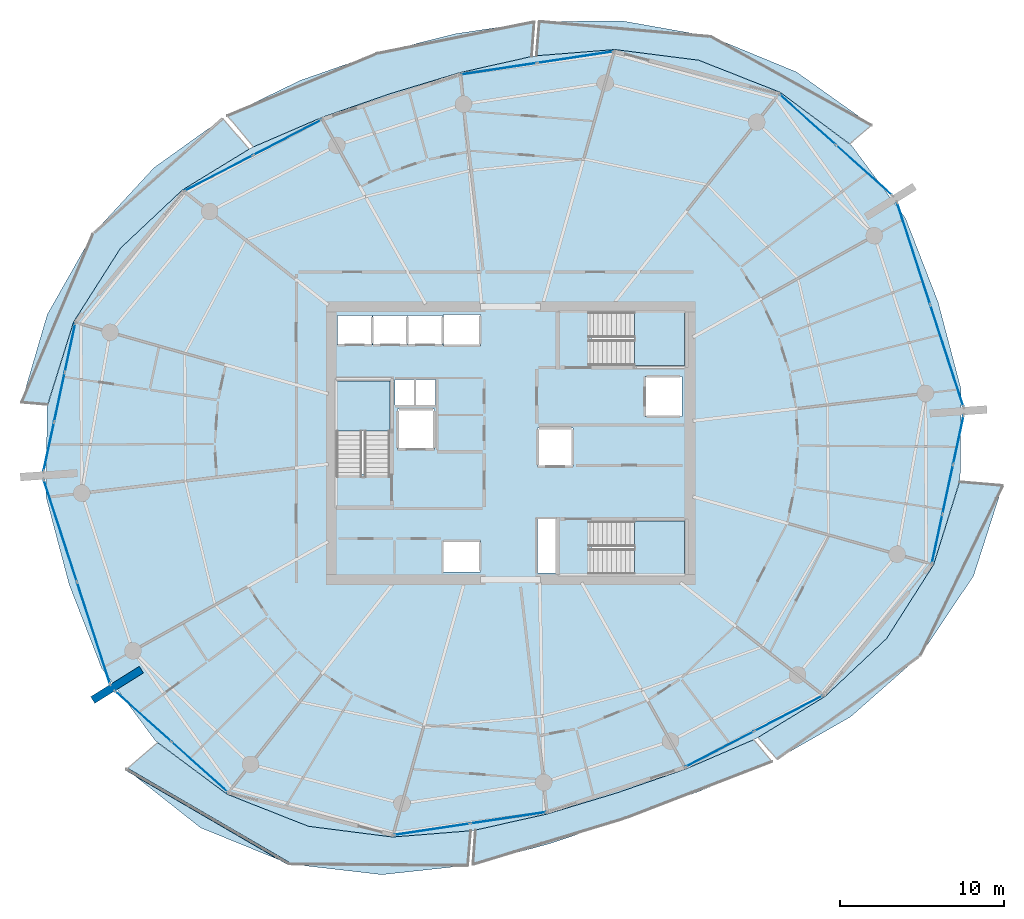
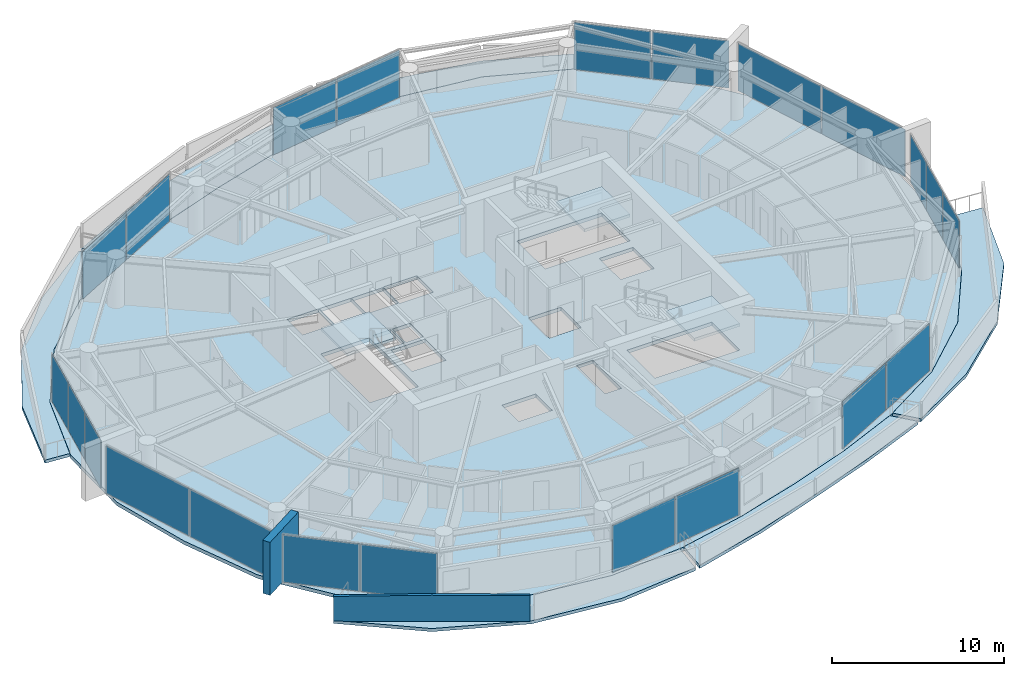
# One storey, part 10 of 20: 22 plates, 10 slabs, 2 walls, 13 elements without a shape of their own.
"""IFC4 building model written with IfcOpenShell, lengths in metres."""

from ifc_helpers import new_model, si_unit, direction, frame, frame_2d, origin, origin_2d, place, context, subcontext, project, spatial, polyline, rectangle, outline, extrude, material, layer, layer_set, type_object, element, aggregate, save


model = new_model("IFC4")

# Units and contexts
model_context = context("Model", 3, precision=1e-05, world=origin(), true_north=direction((0.0, 1.0)))
body_context = subcontext(model_context, "Body", "Model", "MODEL_VIEW")
ifc_project = project(units=[si_unit("LENGTHUNIT", "METRE"), si_unit("AREAUNIT", "SQUARE_METRE"), si_unit("VOLUMEUNIT", "CUBIC_METRE"), si_unit("PLANEANGLEUNIT", "RADIAN"), si_unit("MASSUNIT", "GRAM", prefix="KILO")], contexts=[model_context])

# Site, building, storey
site_placement = place(None, origin())
site = spatial("IfcSite", under=ifc_project, at=site_placement, CompositionType="ELEMENT")
building_placement = place(site_placement, origin())
building = spatial("IfcBuilding", under=site, at=building_placement, Name="Kazma Halo Residences", CompositionType="ELEMENT")
storey_placement = place(building_placement, frame((0.0, 0.0, 210.300048828125)))
storey = spatial("IfcBuildingStorey", under=building, at=storey_placement, Name="L53", CompositionType="ELEMENT", Elevation=210.300048828125)

# Curtain wall, plates
ifc_material_1 = material(Name="Aluminium AW-6063 T6 and Triple-Silver Low-E Glass", Category="aluminium")
ifc_layer_1 = layer(ifc_material_1, 0.219970703125)
ifc_layer_set_1 = layer_set([ifc_layer_1], Name="Aluminium AW-6063 T6 and Triple-Silver Low-E Glass")
curtain_wall_type = type_object("IfcCurtainWallType", Name="CW-SYS-4", PredefinedType="NOTDEFINED", material=ifc_layer_set_1)
curtain_wall_1_placement = place(storey_placement, origin())
curtain_wall_1 = element("IfcCurtainWall", 1, at=curtain_wall_1_placement, inside=storey, type_object=curtain_wall_type, Name="L53 unitised curtain wall B01", PredefinedType="NOTDEFINED")
ifc_material_2 = material(Name="Clear Triple-Silver Low-E Glass IGU", Category="glass")
ifc_layer_2 = layer(ifc_material_2, 0.033935546875)
ifc_layer_set_2 = layer_set([ifc_layer_2], Name="Clear Triple-Silver Low-E Glass IGU")
plate_type = type_object("IfcPlateType", Name="CW-SYS-4-PNL", PredefinedType="CURTAIN_PANEL", material=ifc_layer_set_2)
plate_1_placement = place(storey_placement, frame((70.001220703125, 58.669677734375, 0.074951171875), z_axis=(0.0, 0.0, 1.0), x_axis=(-0.744354814723, 0.667784328806, 0.0)))
plate_1 = element("IfcPlate", 2, at=plate_1_placement, type_object=plate_type, Name="CWS-4 panel 1.1", PredefinedType="CURTAIN_PANEL", context=body_context, shape_type="SweptSolid", body=[
    extrude(rectangle(XDim=4.5478515625, YDim=0.033935546875, at=origin_2d()), origin(), (0.0, 0.0, 1.0), 3.35009765625),
])
plate_2_placement = place(storey_placement, frame((66.56005859375, 61.7568359375, 0.074951171875), z_axis=(0.0, 0.0, 1.0), x_axis=(-0.744354814723, 0.667784328806, 0.0)))
plate_2 = element("IfcPlate", 3, at=plate_2_placement, type_object=plate_type, Name="CWS-4 panel 2.1", PredefinedType="CURTAIN_PANEL", context=body_context, shape_type="SweptSolid", body=[
    extrude(rectangle(XDim=4.5478515625, YDim=0.033935546875, at=origin_2d()), origin(), (0.0, 0.0, 1.0), 3.35009765625),
])
aggregate(curtain_wall_1, [plate_1, plate_2])

curtain_wall_2_placement = place(storey_placement, origin())
curtain_wall_2 = element("IfcCurtainWall", 4, at=curtain_wall_2_placement, inside=storey, type_object=curtain_wall_type, Name="L53 unitised curtain wall B03", PredefinedType="NOTDEFINED")
plate_3_placement = place(storey_placement, frame((52.375, 65.562255859375, 0.074951171875), z_axis=(0.0, 0.0, 1.0), x_axis=(-0.988871428361, -0.148772639188, 0.0)))
plate_3 = element("IfcPlate", 5, at=plate_3_placement, type_object=plate_type, Name="CWS-4 panel 1.1", PredefinedType="CURTAIN_PANEL", context=body_context, shape_type="SweptSolid", body=[
    extrude(rectangle(XDim=4.64501953125, YDim=0.033935546875, at=origin_2d()), origin(), (0.0, 0.0, 1.0), 3.35009765625),
])
plate_4_placement = place(storey_placement, frame((47.70751953125, 64.860107421875, 0.074951171875), z_axis=(0.0, 0.0, 1.0), x_axis=(-0.988871428361, -0.148772639188, 0.0)))
plate_4 = element("IfcPlate", 6, at=plate_4_placement, type_object=plate_type, Name="CWS-4 panel 2.1", PredefinedType="CURTAIN_PANEL", context=body_context, shape_type="SweptSolid", body=[
    extrude(rectangle(XDim=4.64501953125, YDim=0.033935546875, at=origin_2d()), origin(), (0.0, 0.0, 1.0), 3.35009765625),
])
aggregate(curtain_wall_2, [plate_3, plate_4])

curtain_wall_3_placement = place(storey_placement, origin())
curtain_wall_3 = element("IfcCurtainWall", 7, at=curtain_wall_3_placement, inside=storey, type_object=curtain_wall_type, Name="L53 unitised curtain wall B05", PredefinedType="NOTDEFINED")
plate_5_placement = place(storey_placement, frame((34.7998046875, 60.666015625, 0.074951171875), z_axis=(0.0, 0.0, 1.0), x_axis=(-0.887465657575, -0.460873851097, 0.0)))
plate_5 = element("IfcPlate", 8, at=plate_5_placement, type_object=plate_type, Name="CWS-4 panel 1.1", PredefinedType="CURTAIN_PANEL", context=body_context, shape_type="SweptSolid", body=[
    extrude(rectangle(XDim=4.64501953125, YDim=0.033935546875, at=origin_2d()), origin(), (0.0, 0.0, 1.0), 3.35009765625),
])
plate_6_placement = place(storey_placement, frame((30.61083984375, 58.49072265625, 0.074951171875), z_axis=(0.0, 0.0, 1.0), x_axis=(-0.887465657575, -0.460873851097, 0.0)))
plate_6 = element("IfcPlate", 9, at=plate_6_placement, type_object=plate_type, Name="CWS-4 panel 2.1", PredefinedType="CURTAIN_PANEL", context=body_context, shape_type="SweptSolid", body=[
    extrude(rectangle(XDim=4.64501953125, YDim=0.033935546875, at=origin_2d()), origin(), (0.0, 0.0, 1.0), 3.35009765625),
])
aggregate(curtain_wall_3, [plate_5, plate_6])

curtain_wall_4_placement = place(storey_placement, origin())
curtain_wall_4 = element("IfcCurtainWall", 10, at=curtain_wall_4_placement, inside=storey, type_object=curtain_wall_type, Name="L53 unitised curtain wall B07", PredefinedType="NOTDEFINED")
plate_7_placement = place(storey_placement, frame((21.53466796875, 47.833740234375, 0.074951171875), z_axis=(0.0, 0.0, 1.0), x_axis=(-0.209689543175, -0.977768017212, 0.0)))
plate_7 = element("IfcPlate", 11, at=plate_7_placement, type_object=plate_type, Name="CWS-4 panel 1.1", PredefinedType="CURTAIN_PANEL", context=body_context, shape_type="SweptSolid", body=[
    extrude(rectangle(XDim=2.994384765625, YDim=0.033935546875, at=origin_2d()), origin(), (0.0, 0.0, 1.0), 3.35009765625),
])
plate_8_placement = place(storey_placement, frame((20.88720703125, 44.814208984375, 0.074951171875), z_axis=(0.0, 0.0, 1.0), x_axis=(-0.209689543175, -0.977768017212, 0.0)))
plate_8 = element("IfcPlate", 12, at=plate_8_placement, type_object=plate_type, Name="CWS-4 panel 2.1", PredefinedType="CURTAIN_PANEL", context=body_context, shape_type="SweptSolid", body=[
    extrude(rectangle(XDim=3.031982421875, YDim=0.033935546875, at=origin_2d()), origin(), (0.0, 0.0, 1.0), 3.35009765625),
])
plate_9_placement = place(storey_placement, frame((20.239501953125, 41.794677734375, 0.074951171875), z_axis=(0.0, 0.0, 1.0), x_axis=(-0.209689543175, -0.977768017212, 0.0)))
plate_9 = element("IfcPlate", 13, at=plate_9_placement, type_object=plate_type, Name="CWS-4 panel 3.1", PredefinedType="CURTAIN_PANEL", context=body_context, shape_type="SweptSolid", body=[
    extrude(rectangle(XDim=2.994384765625, YDim=0.033935546875, at=origin_2d()), origin(), (0.0, 0.0, 1.0), 3.35009765625),
])
aggregate(curtain_wall_4, [plate_7, plate_8, plate_9])

curtain_wall_5_placement = place(storey_placement, origin())
curtain_wall_5 = element("IfcCurtainWall", 14, at=curtain_wall_5_placement, inside=storey, type_object=curtain_wall_type, Name="L53 unitised curtain wall B08", PredefinedType="NOTDEFINED")
plate_10_placement = place(storey_placement, frame((20.942626953125, 36.658447265625, 0.074951171875), z_axis=(0.0, 0.0, 1.0), x_axis=(0.309015833038, -0.951056893636, 0.0)))
plate_10 = element("IfcPlate", 15, at=plate_10_placement, type_object=plate_type, Name="CWS-4 panel 1.1", PredefinedType="CURTAIN_PANEL", context=body_context, shape_type="SweptSolid", body=[
    extrude(rectangle(XDim=6.487060546875, YDim=0.033935546875, at=origin_2d()), origin(), (0.0, 0.0, 1.0), 3.35009765625),
])
plate_11_placement = place(storey_placement, frame((22.970458984375, 30.41748046875, 0.074951171875), z_axis=(0.0, 0.0, 1.0), x_axis=(0.309015833038, -0.951056893636, 0.0)))
plate_11 = element("IfcPlate", 16, at=plate_11_placement, type_object=plate_type, Name="CWS-4 panel 2.1", PredefinedType="CURTAIN_PANEL", context=body_context, shape_type="SweptSolid", body=[
    extrude(rectangle(XDim=6.487060546875, YDim=0.033935546875, at=origin_2d()), origin(), (0.0, 0.0, 1.0), 3.35009765625),
])
aggregate(curtain_wall_5, [plate_10, plate_11])

curtain_wall_6_placement = place(storey_placement, origin())
curtain_wall_6 = element("IfcCurtainWall", 17, at=curtain_wall_6_placement, inside=storey, type_object=curtain_wall_type, Name="L53 unitised curtain wall B09", PredefinedType="NOTDEFINED")
plate_12_placement = place(storey_placement, frame((25.998779296875, 25.330322265625, 0.074951171875), z_axis=(0.0, 0.0, 1.0), x_axis=(0.744354814723, -0.667784328806, 0.0)))
plate_12 = element("IfcPlate", 18, at=plate_12_placement, type_object=plate_type, Name="CWS-4 panel 1.1", PredefinedType="CURTAIN_PANEL", context=body_context, shape_type="SweptSolid", body=[
    extrude(rectangle(XDim=4.5478515625, YDim=0.033935546875, at=origin_2d()), origin(), (0.0, 0.0, 1.0), 3.35009765625),
])
plate_13_placement = place(storey_placement, frame((29.43994140625, 22.2431640625, 0.074951171875), z_axis=(0.0, 0.0, 1.0), x_axis=(0.744354814723, -0.667784328806, 0.0)))
plate_13 = element("IfcPlate", 19, at=plate_13_placement, type_object=plate_type, Name="CWS-4 panel 2.1", PredefinedType="CURTAIN_PANEL", context=body_context, shape_type="SweptSolid", body=[
    extrude(rectangle(XDim=4.5478515625, YDim=0.033935546875, at=origin_2d()), origin(), (0.0, 0.0, 1.0), 3.35009765625),
])
aggregate(curtain_wall_6, [plate_12, plate_13])

curtain_wall_7_placement = place(storey_placement, origin())
curtain_wall_7 = element("IfcCurtainWall", 20, at=curtain_wall_7_placement, inside=storey, type_object=curtain_wall_type, Name="L53 unitised curtain wall B11", PredefinedType="NOTDEFINED")
plate_14_placement = place(storey_placement, frame((43.625, 18.437744140625, 0.074951171875), z_axis=(0.0, 0.0, 1.0), x_axis=(0.988871428361, 0.148772639188, 0.0)))
plate_14 = element("IfcPlate", 21, at=plate_14_placement, type_object=plate_type, Name="CWS-4 panel 1.1", PredefinedType="CURTAIN_PANEL", context=body_context, shape_type="SweptSolid", body=[
    extrude(rectangle(XDim=4.64501953125, YDim=0.033935546875, at=origin_2d()), origin(), (0.0, 0.0, 1.0), 3.35009765625),
])
plate_15_placement = place(storey_placement, frame((48.29248046875, 19.139892578125, 0.074951171875), z_axis=(0.0, 0.0, 1.0), x_axis=(0.988871428361, 0.148772639188, 0.0)))
plate_15 = element("IfcPlate", 22, at=plate_15_placement, type_object=plate_type, Name="CWS-4 panel 2.1", PredefinedType="CURTAIN_PANEL", context=body_context, shape_type="SweptSolid", body=[
    extrude(rectangle(XDim=4.64501953125, YDim=0.033935546875, at=origin_2d()), origin(), (0.0, 0.0, 1.0), 3.35009765625),
])
aggregate(curtain_wall_7, [plate_14, plate_15])

curtain_wall_8_placement = place(storey_placement, origin())
curtain_wall_8 = element("IfcCurtainWall", 23, at=curtain_wall_8_placement, inside=storey, type_object=curtain_wall_type, Name="L53 unitised curtain wall B13", PredefinedType="NOTDEFINED")
plate_16_placement = place(storey_placement, frame((61.2001953125, 23.333984375, 0.074951171875), z_axis=(0.0, 0.0, 1.0), x_axis=(0.887465657575, 0.460873851097, 0.0)))
plate_16 = element("IfcPlate", 24, at=plate_16_placement, type_object=plate_type, Name="CWS-4 panel 1.1", PredefinedType="CURTAIN_PANEL", context=body_context, shape_type="SweptSolid", body=[
    extrude(rectangle(XDim=4.64501953125, YDim=0.033935546875, at=origin_2d()), origin(), (0.0, 0.0, 1.0), 3.35009765625),
])
plate_17_placement = place(storey_placement, frame((65.38916015625, 25.50927734375, 0.074951171875), z_axis=(0.0, 0.0, 1.0), x_axis=(0.887465657575, 0.460873851097, 0.0)))
plate_17 = element("IfcPlate", 25, at=plate_17_placement, type_object=plate_type, Name="CWS-4 panel 2.1", PredefinedType="CURTAIN_PANEL", context=body_context, shape_type="SweptSolid", body=[
    extrude(rectangle(XDim=4.64501953125, YDim=0.033935546875, at=origin_2d()), origin(), (0.0, 0.0, 1.0), 3.35009765625),
])
aggregate(curtain_wall_8, [plate_16, plate_17])

curtain_wall_9_placement = place(storey_placement, origin())
curtain_wall_9 = element("IfcCurtainWall", 26, at=curtain_wall_9_placement, inside=storey, type_object=curtain_wall_type, Name="L53 unitised curtain wall B15", PredefinedType="NOTDEFINED")
plate_18_placement = place(storey_placement, frame((74.46533203125, 36.166259765625, 0.074951171875), z_axis=(0.0, 0.0, 1.0), x_axis=(0.209689543175, 0.977768017212, 0.0)))
plate_18 = element("IfcPlate", 27, at=plate_18_placement, type_object=plate_type, Name="CWS-4 panel 1.1", PredefinedType="CURTAIN_PANEL", context=body_context, shape_type="SweptSolid", body=[
    extrude(rectangle(XDim=2.994384765625, YDim=0.033935546875, at=origin_2d()), origin(), (0.0, 0.0, 1.0), 3.35009765625),
])
plate_19_placement = place(storey_placement, frame((75.11279296875, 39.185791015625, 0.074951171875), z_axis=(0.0, 0.0, 1.0), x_axis=(0.209689543175, 0.977768017212, 0.0)))
plate_19 = element("IfcPlate", 28, at=plate_19_placement, type_object=plate_type, Name="CWS-4 panel 2.1", PredefinedType="CURTAIN_PANEL", context=body_context, shape_type="SweptSolid", body=[
    extrude(rectangle(XDim=3.031982421875, YDim=0.033935546875, at=origin_2d()), origin(), (0.0, 0.0, 1.0), 3.35009765625),
])
plate_20_placement = place(storey_placement, frame((75.760498046875, 42.205322265625, 0.074951171875), z_axis=(0.0, 0.0, 1.0), x_axis=(0.209689543175, 0.977768017212, 0.0)))
plate_20 = element("IfcPlate", 29, at=plate_20_placement, type_object=plate_type, Name="CWS-4 panel 3.1", PredefinedType="CURTAIN_PANEL", context=body_context, shape_type="SweptSolid", body=[
    extrude(rectangle(XDim=2.994384765625, YDim=0.033935546875, at=origin_2d()), origin(), (0.0, 0.0, 1.0), 3.35009765625),
])
aggregate(curtain_wall_9, [plate_18, plate_19, plate_20])

curtain_wall_10_placement = place(storey_placement, origin())
curtain_wall_10 = element("IfcCurtainWall", 30, at=curtain_wall_10_placement, inside=storey, type_object=curtain_wall_type, Name="L53 unitised curtain wall B16", PredefinedType="NOTDEFINED")
plate_21_placement = place(storey_placement, frame((75.057373046875, 47.341552734375, 0.074951171875), z_axis=(0.0, 0.0, 1.0), x_axis=(-0.309015833038, 0.951056893636, 0.0)))
plate_21 = element("IfcPlate", 31, at=plate_21_placement, type_object=plate_type, Name="CWS-4 panel 1.1", PredefinedType="CURTAIN_PANEL", context=body_context, shape_type="SweptSolid", body=[
    extrude(rectangle(XDim=6.487060546875, YDim=0.033935546875, at=origin_2d()), origin(), (0.0, 0.0, 1.0), 3.35009765625),
])
plate_22_placement = place(storey_placement, frame((73.029541015625, 53.58251953125, 0.074951171875), z_axis=(0.0, 0.0, 1.0), x_axis=(-0.309015833038, 0.951056893636, 0.0)))
plate_22 = element("IfcPlate", 32, at=plate_22_placement, type_object=plate_type, Name="CWS-4 panel 2.1", PredefinedType="CURTAIN_PANEL", context=body_context, shape_type="SweptSolid", body=[
    extrude(rectangle(XDim=6.487060546875, YDim=0.033935546875, at=origin_2d()), origin(), (0.0, 0.0, 1.0), 3.35009765625),
])
aggregate(curtain_wall_10, [plate_21, plate_22])

# Slabs
ifc_material_3 = material(Name="White Concrete C50/60", Category="concrete")
ifc_layer_3 = layer(ifc_material_3, 0.219970703125)
ifc_layer_set_3 = layer_set([ifc_layer_3], Name="White Concrete C50/60")
slab_type_1 = type_object("IfcSlabType", Name="SLB-BAL-WAVE-210", PredefinedType="FLOOR", material=ifc_layer_set_3)
slab_1_placement = place(storey_placement, frame((0.0, 0.0, -0.219970703125)))
element("IfcSlab", 33, at=slab_1_placement, inside=storey, type_object=slab_type_1, Name="L53 NE cantilevered wave balcony slab", PredefinedType="FLOOR", context=body_context, shape_type="SweptSolid", body=[
    extrude(outline(polyline([(69.130126953125, 60.271240234375), (64.88720703125, 63.421142578125), (59.913818359375, 65.382080078125), (54.779052734375, 66.036376953125), (50.007080078125, 65.656005859375), (50.184814453125, 67.748046875), (55.27001953125, 67.777587890625), (60.648193359375, 66.8232421875), (65.8701171875, 64.668212890625), (70.44970703125, 61.412353515625), (69.130126953125, 60.271240234375)])), origin(), (0.0, 0.0, 1.0), 0.219970703125),
])
slab_2_placement = place(storey_placement, frame((0.0, 0.0, -0.219970703125)))
element("IfcSlab", 34, at=slab_2_placement, inside=storey, type_object=slab_type_1, Name="L53 NNW cantilevered wave balcony slab", PredefinedType="FLOOR", context=body_context, shape_type="SweptSolid", body=[
    extrude(outline(polyline([(49.713134765625, 65.612060546875), (45.322265625, 64.62451171875), (41.066650390625, 63.338623046875), (36.867919921875, 61.877685546875), (32.735107421875, 60.095458984375), (31.13671875, 61.990478515625), (35.59375, 64.153076171875), (40.27001953125, 65.790771484375), (45.041748046875, 66.994873046875), (49.8662109375, 67.720703125), (49.713134765625, 65.612060546875)])), origin(), (0.0, 0.0, 1.0), 0.219970703125),
])
slab_3_placement = place(storey_placement, frame((0.0, 0.0, -0.219970703125)))
element("IfcSlab", 35, at=slab_3_placement, inside=storey, type_object=slab_type_1, Name="L53 NW cantilevered wave balcony slab", PredefinedType="FLOOR", context=body_context, shape_type="SweptSolid", body=[
    extrude(outline(polyline([(32.471435546875, 59.958251953125), (28.387451171875, 57.461181640625), (24.617919921875, 53.913818359375), (21.7470703125, 49.404052734375), (20.165771484375, 44.36181640625), (18.572509765625, 44.4970703125), (20.143798828125, 49.856201171875), (22.926025390625, 54.77587890625), (26.66015625, 58.822998046875), (30.855712890625, 61.82666015625), (32.471435546875, 59.958251953125)])), origin(), (0.0, 0.0, 1.0), 0.219970703125),
])
slab_4_placement = place(storey_placement, frame((0.0, 0.0, -0.219970703125)))
element("IfcSlab", 36, at=slab_4_placement, inside=storey, type_object=slab_type_1, Name="L53 SW cantilevered wave balcony slab", PredefinedType="FLOOR", context=body_context, shape_type="SweptSolid", body=[
    extrude(outline(polyline([(26.869873046875, 23.728759765625), (31.11279296875, 20.578857421875), (36.086181640625, 18.617919921875), (41.220947265625, 17.963623046875), (45.992919921875, 18.343994140625), (45.813720703125, 16.23291015625), (40.572998046875, 15.666259765625), (34.915771484375, 16.320556640625), (29.498291015625, 18.53076171875), (24.98388671875, 22.097900390625), (26.869873046875, 23.728759765625)])), origin(), (0.0, 0.0, 1.0), 0.219970703125),
])
slab_5_placement = place(storey_placement, frame((0.0, 0.0, -0.219970703125)))
element("IfcSlab", 37, at=slab_5_placement, inside=storey, type_object=slab_type_1, Name="L53 SSE cantilevered wave balcony slab", PredefinedType="FLOOR", context=body_context, shape_type="SweptSolid", body=[
    extrude(outline(polyline([(46.286865234375, 18.387939453125), (50.677734375, 19.37548828125), (54.933349609375, 20.661376953125), (59.132080078125, 22.122314453125), (63.264892578125, 23.904541015625), (64.380615234375, 22.581787109375), (59.907958984375, 20.73681640625), (55.43310546875, 19.123046875), (50.890380859375, 17.578857421875), (46.135009765625, 16.29833984375), (46.286865234375, 18.387939453125)])), origin(), (0.0, 0.0, 1.0), 0.219970703125),
])
slab_6_placement = place(storey_placement, frame((0.0, 0.0, -0.219970703125)))
element("IfcSlab", 38, at=slab_6_placement, inside=storey, type_object=slab_type_1, Name="L53 SE cantilevered wave balcony slab", PredefinedType="FLOOR", context=body_context, shape_type="SweptSolid", body=[
    extrude(outline(polyline([(63.528564453125, 24.041748046875), (67.612548828125, 26.538818359375), (71.382080078125, 30.086181640625), (74.2529296875, 34.595947265625), (75.834228515625, 39.63818359375), (78.463623046875, 39.4150390625), (76.688232421875, 33.908935546875), (73.4287109375, 29.04345703125), (69.180419921875, 25.302490234375), (64.672119140625, 22.71923828125), (63.528564453125, 24.041748046875)])), origin(), (0.0, 0.0, 1.0), 0.219970703125),
])
ifc_material_4 = material(Name="Concrete C50/60", Category="concrete")
ifc_layer_4 = layer(ifc_material_4, 0.25)
ifc_layer_set_4 = layer_set([ifc_layer_4], Name="Concrete C50/60")
slab_type_2 = type_object("IfcSlabType", Name="SLB-RES-250", PredefinedType="FLOOR", material=ifc_layer_set_4)
slab_7_placement = place(storey_placement, frame((0.0, 0.0, -0.25)))
element("IfcSlab", 39, at=slab_7_placement, inside=storey, type_object=slab_type_2, Name="L53 structural floor slab", PredefinedType="FLOOR", context=body_context, shape_type="SweptSolid", body=[
    extrude(outline(polyline([(74.521484375, 50.617431640625), (72.531982421875, 55.738525390625), (69.2587890625, 60.156494140625), (64.8857421875, 63.41943359375), (59.912841796875, 65.380126953125), (54.7783203125, 66.034423828125), (49.860595703125, 65.64111328125), (45.322509765625, 64.62255859375), (41.0673828125, 63.336669921875), (36.868896484375, 61.875732421875), (32.598876953125, 60.032470703125), (28.388916015625, 57.460205078125), (24.619873046875, 53.912841796875), (21.7490234375, 49.403564453125), (20.129150390625, 44.193603515625), (20.07763671875, 38.6953125), (21.478515625, 33.382568359375), (23.468017578125, 28.261474609375), (26.7412109375, 23.843505859375), (31.1142578125, 20.58056640625), (36.087158203125, 18.619873046875), (41.2216796875, 17.965576171875), (46.139404296875, 18.35888671875), (50.677490234375, 19.37744140625), (54.9326171875, 20.663330078125), (59.131103515625, 22.124267578125), (63.401123046875, 23.967529296875), (67.611083984375, 26.539794921875), (71.380126953125, 30.087158203125), (74.2509765625, 34.596435546875), (75.870849609375, 39.806396484375), (75.92236328125, 45.3046875), (74.521484375, 50.617431640625)]), holes=[polyline([(37.800048828125, 40.110107421875), (41.050048828125, 40.110107421875), (41.050048828125, 45.800048828125), (37.800048828125, 45.800048828125), (37.800048828125, 40.110107421875)]), polyline([(53.360107421875, 46.75), (59.050048828125, 46.75), (59.050048828125, 50.0), (53.360107421875, 50.0), (53.360107421875, 46.75)]), polyline([(53.360107421875, 34.0), (59.050048828125, 34.0), (59.050048828125, 37.25), (53.360107421875, 37.25), (53.360107421875, 34.0)]), polyline([(41.52001953125, 41.6201171875), (43.780029296875, 41.6201171875), (43.780029296875, 44.080078125), (41.52001953125, 44.080078125), (41.52001953125, 41.6201171875)]), polyline([(56.6201171875, 43.6201171875), (58.8798828125, 43.6201171875), (58.8798828125, 46.080078125), (56.6201171875, 46.080078125), (56.6201171875, 43.6201171875)]), polyline([(37.864990234375, 47.9951171875), (39.97509765625, 47.9951171875), (39.97509765625, 49.804931640625), (37.864990234375, 49.804931640625), (37.864990234375, 47.9951171875)]), polyline([(40.014892578125, 47.9951171875), (42.125, 47.9951171875), (42.125, 49.804931640625), (40.014892578125, 49.804931640625), (40.014892578125, 47.9951171875)]), polyline([(42.1650390625, 47.9951171875), (44.27490234375, 47.9951171875), (44.27490234375, 49.804931640625), (42.1650390625, 49.804931640625), (42.1650390625, 47.9951171875)]), polyline([(44.320068359375, 47.945068359375), (46.580078125, 47.945068359375), (46.580078125, 49.85498046875), (44.320068359375, 49.85498046875), (44.320068359375, 47.945068359375)]), polyline([(44.320068359375, 34.14501953125), (46.580078125, 34.14501953125), (46.580078125, 36.054931640625), (44.320068359375, 36.054931640625), (44.320068359375, 34.14501953125)]), polyline([(50.070068359375, 40.570068359375), (52.22998046875, 40.570068359375), (52.22998046875, 42.929931640625), (50.070068359375, 42.929931640625), (50.070068359375, 40.570068359375)]), polyline([(41.360107421875, 44.340087890625), (42.5400390625, 44.340087890625), (42.5400390625, 45.89990234375), (41.360107421875, 45.89990234375), (41.360107421875, 44.340087890625)]), polyline([(42.659912109375, 44.340087890625), (43.840087890625, 44.340087890625), (43.840087890625, 45.89990234375), (42.659912109375, 45.89990234375), (42.659912109375, 44.340087890625)]), polyline([(50.06005859375, 34.080078125), (51.159912109375, 34.080078125), (51.159912109375, 37.3798828125), (50.06005859375, 37.3798828125), (50.06005859375, 34.080078125)])]), origin(), (0.0, 0.0, 1.0), 0.25),
])

# Stair, slab
stair_type = type_object("IfcStairType", Name="STR-RES1", PredefinedType="HALF_TURN_STAIR", material=ifc_material_4)
stair_1_placement = place(storey_placement, origin())
stair_1 = element("IfcStair", 40, at=stair_1_placement, inside=storey, type_object=stair_type, Name="L53 Core exit stair ST-01", PredefinedType="HALF_TURN_STAIR")
ifc_layer_5 = layer(ifc_material_4, 0.199951171875)
ifc_layer_set_5 = layer_set([ifc_layer_5], Name="Concrete C50/60")
slab_type_3 = type_object("IfcSlabType", Name="SLB-STAIR-LND-200", PredefinedType="LANDING", material=ifc_layer_set_5)
slab_8_placement = place(storey_placement, frame((0.0, 0.0, 1.675048828125)))
slab_8 = element("IfcSlab", 41, at=slab_8_placement, type_object=slab_type_3, Name="ST-01 landing 1", PredefinedType="LANDING", context=body_context, shape_type="SweptSolid", body=[
    extrude(outline(polyline([(41.050048828125, 42.75), (41.050048828125, 45.800048828125), (37.800048828125, 45.800048828125), (37.800048828125, 42.75), (41.050048828125, 42.75)])), origin(), (0.0, 0.0, 1.0), 0.199951171875),
])
aggregate(stair_1, [slab_8])

stair_2_placement = place(storey_placement, origin())
stair_2 = element("IfcStair", 42, at=stair_2_placement, inside=storey, type_object=stair_type, Name="L53 Core exit stair ST-02", PredefinedType="HALF_TURN_STAIR")
slab_9_placement = place(storey_placement, frame((0.0, 0.0, 1.675048828125)))
slab_9 = element("IfcSlab", 43, at=slab_9_placement, type_object=slab_type_3, Name="ST-02 landing 1", PredefinedType="LANDING", context=body_context, shape_type="SweptSolid", body=[
    extrude(outline(polyline([(56.0, 46.75), (59.050048828125, 46.75), (59.050048828125, 50.0), (56.0, 50.0), (56.0, 46.75)])), origin(), (0.0, 0.0, 1.0), 0.199951171875),
])
aggregate(stair_2, [slab_9])

stair_3_placement = place(storey_placement, origin())
stair_3 = element("IfcStair", 44, at=stair_3_placement, inside=storey, type_object=stair_type, Name="L53 Core exit stair ST-03", PredefinedType="HALF_TURN_STAIR")
slab_10_placement = place(storey_placement, frame((0.0, 0.0, 1.675048828125)))
slab_10 = element("IfcSlab", 45, at=slab_10_placement, type_object=slab_type_3, Name="ST-03 landing 1", PredefinedType="LANDING", context=body_context, shape_type="SweptSolid", body=[
    extrude(outline(polyline([(56.0, 34.0), (59.050048828125, 34.0), (59.050048828125, 37.25), (56.0, 37.25), (56.0, 34.0)])), origin(), (0.0, 0.0, 1.0), 0.199951171875),
])
aggregate(stair_3, [slab_10])

# Walls
ifc_material_5 = material(Name="White Concrete C50/60 Balustrade", Category="concrete")
ifc_layer_6 = layer(ifc_material_5, 0.179931640625)
ifc_layer_set_6 = layer_set([ifc_layer_6], Name="White Concrete C50/60 Balustrade")
wall_type_1 = type_object("IfcWallType", Name="WL-BAL-WAVE-180", PredefinedType="PARAPET", material=ifc_layer_set_6)
wall_1_placement = place(storey_placement, frame((24.98388671875, 22.097900390625, 0.0), z_axis=(0.0, 0.0, 1.0), x_axis=(0.864391947404, -0.502818616663, 0.0)))
element("IfcWall", 46, at=wall_1_placement, inside=storey, type_object=wall_type_1, Name="L53 white wave balustrade wall SW.1", PredefinedType="PARAPET", context=body_context, shape_type="SweptSolid", body=[
    extrude(outline(polyline([(0.0, 0.0), (11.369873046875, 0.0), (11.3701171875, 1.83203125), (5.68505859375, 1.85302734375), (0.0, 1.755859375), (0.0, 0.0)])), frame((0.0, 0.08984375, 0.0), z_axis=(0.0, -1.0, 0.0), x_axis=(1.0, 0.0, 0.0)), (0.0, 0.0, 1.0), 0.179931640625),
])
ifc_material_6 = material(Name="Pale Concrete C60/75", Category="concrete")
ifc_layer_7 = layer(ifc_material_6, 0.47998046875)
ifc_layer_set_7 = layer_set([ifc_layer_7], Name="Pale Concrete C60/75")
wall_type_2 = type_object("IfcWallType", Name="WL-BLADE-480", PredefinedType="SOLIDWALL", material=ifc_layer_set_7)
wall_2_placement = place(storey_placement, frame((25.88623046875, 28.181884765625, 0.0), z_axis=(0.0, 0.0, 1.0), x_axis=(-0.848033572426, -0.529942506352, 0.0)))
element("IfcWall", 47, at=wall_2_placement, inside=storey, type_object=wall_type_2, Name="L53 pale concrete structural blade fin wall BW-03", PredefinedType="SOLIDWALL", context=body_context, shape_type="SweptSolid", body=[
    extrude(rectangle(XDim=3.5, YDim=0.47998046875, at=frame_2d((1.75, 0.0))), origin(), (0.0, 0.0, 1.0), 3.75),
])

save(model, "model.ifc")
